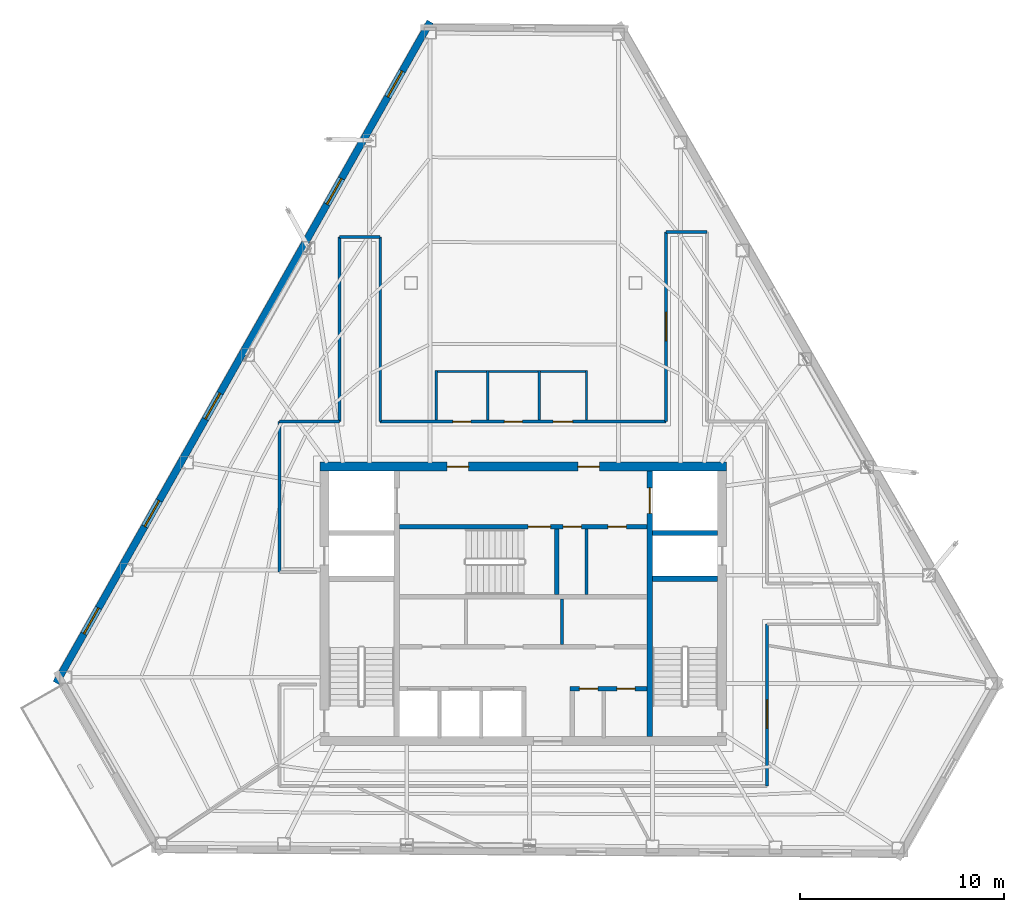
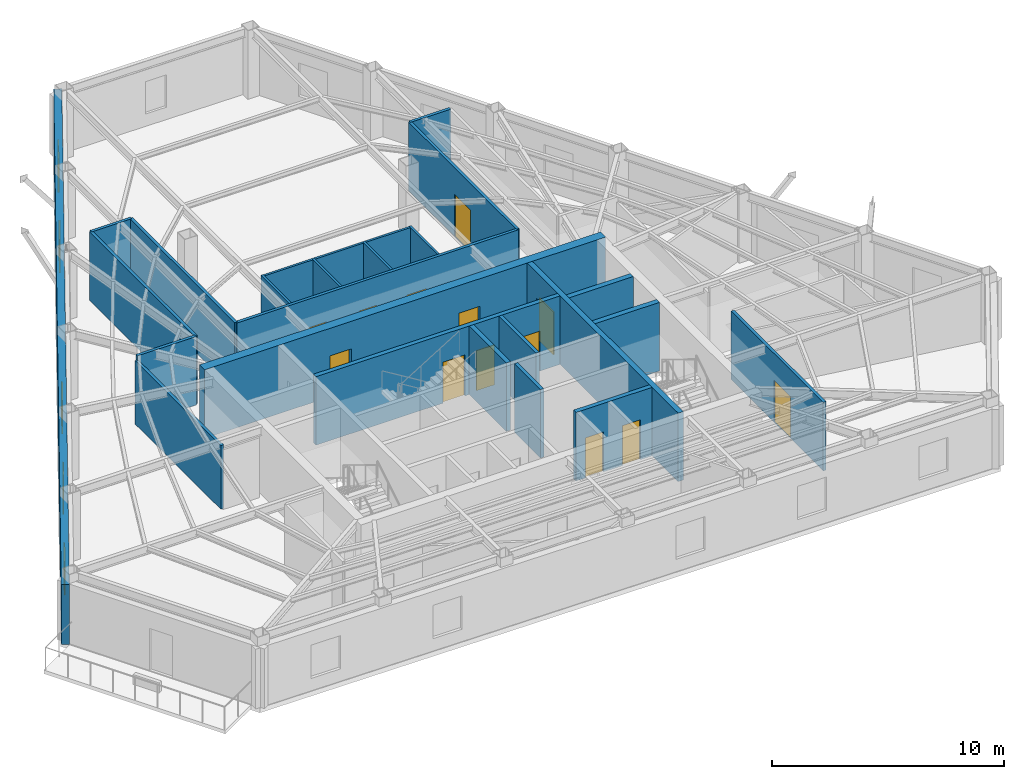
# One storey, part 8 of 11: 24 walls, 13 doors, 5 windows, 18 openings.
"""IFC4 building model written with IfcOpenShell, lengths in metres."""

import ifcopenshell
import ifcopenshell.guid

model = None  # the IFC model being written
_history = None  # IfcOwnerHistory: only IFC2X3 demands one
_inside = {}  # id of a spatial element -> (the spatial element, [elements in it])
_under = {}  # id of a project, library or spatial element -> (it, [spatial elements below it])
_declared = {}  # id of a project -> (the project, [libraries it declares])
_typed = {}  # id of a type object -> (the type object, [elements of that type])
_made_of = {}  # id of a material, layer set ... -> (it, [elements and type objects made of it])


def new_model(schema):
    """Start an empty IFC model of exactly this schema.

    Asked for "IFC4X3", IfcOpenShell would pick the latest addendum, in which some entities
    have other attributes; the version numbers below select the first issue.
    IFC2X3 requires an IfcOwnerHistory on every rooted entity: one is made here for all.
    """
    global model, _history
    if schema == "IFC4X3":
        model = ifcopenshell.file(schema_version=(4, 3, 0, 0))
    else:
        model = ifcopenshell.file(schema=schema)
    _inside.clear()
    _under.clear()
    _declared.clear()
    _typed.clear()
    _made_of.clear()
    _history = None
    if model.schema == "IFC2X3":
        org = make("IfcOrganization", Name="unknown")
        user = make(
            "IfcPersonAndOrganization",
            ThePerson=make("IfcPerson", FamilyName="unknown"),
            TheOrganization=org,
        )
        app = make(
            "IfcApplication",
            ApplicationDeveloper=org,
            Version="unknown",
            ApplicationFullName="unknown",
            ApplicationIdentifier="unknown",
        )
        _history = make(
            "IfcOwnerHistory",
            OwningUser=user,
            OwningApplication=app,
            ChangeAction="ADDED",
            CreationDate=0,
        )
    return model


def make(cls, **values):
    """One entity of the class cls with the attributes given. An attribute that is None is left unset."""
    return model.create_entity(
        cls, **{name: value for name, value in values.items() if value is not None}
    )


def rooted(cls, **values):
    """An entity with a GlobalId (a new one), such as an element, a storey or a relation."""
    return make(cls, GlobalId=ifcopenshell.guid.new(), OwnerHistory=_history, **values)


def si_unit(unit_type, name, prefix=None):
    """IfcSIUnit, for example si_unit("LENGTHUNIT", "METRE", prefix="MILLI")."""
    return make("IfcSIUnit", UnitType=unit_type, Prefix=prefix, Name=name)


def assignment(units):
    """IfcUnitAssignment: the units of a project."""
    return None if units is None else make("IfcUnitAssignment", Units=units)


def point(xyz):
    """IfcCartesianPoint."""
    return None if xyz is None else make("IfcCartesianPoint", Coordinates=xyz)


def direction(xyz):
    """IfcDirection."""
    return None if xyz is None else make("IfcDirection", DirectionRatios=xyz)


def frame(location, z_axis=None, x_axis=None):
    """IfcAxis2Placement3D, a coordinate frame: its origin and axes. An axis left out is left unset."""
    return make(
        "IfcAxis2Placement3D",
        Location=point(location),
        Axis=direction(z_axis),
        RefDirection=direction(x_axis),
    )


def frame_2d(location, x_axis=None):
    """IfcAxis2Placement2D, a coordinate frame in the plane: its origin and x axis."""
    return make(
        "IfcAxis2Placement2D", Location=point(location), RefDirection=direction(x_axis)
    )


def origin():
    """The frame at (0, 0, 0) with its axes left unset."""
    return frame((0.0, 0.0, 0.0))


def place(relative_to, where):
    """IfcLocalPlacement: puts the frame where relative to a parent placement (None: the world)."""
    return make(
        "IfcLocalPlacement", PlacementRelTo=relative_to, RelativePlacement=where
    )


def context(
    kind, dimensions, precision=None, world=None, true_north=None, identifier=None
):
    """IfcGeometricRepresentationContext, for example the 3D "Model" context."""
    return make(
        "IfcGeometricRepresentationContext",
        ContextIdentifier=identifier,
        ContextType=kind,
        CoordinateSpaceDimension=dimensions,
        Precision=precision,
        WorldCoordinateSystem=world,
        TrueNorth=true_north,
    )


def subcontext(parent, identifier, kind, view, scale=None):
    """IfcGeometricRepresentationSubContext, for example "Body" below "Model"."""
    return make(
        "IfcGeometricRepresentationSubContext",
        ContextIdentifier=identifier,
        ContextType=kind,
        ParentContext=parent,
        TargetScale=scale,
        TargetView=view,
    )


def project(units=None, contexts=None):
    """IfcProject with its units and contexts."""
    return rooted(
        "IfcProject",
        Name="project",
        RepresentationContexts=contexts,
        UnitsInContext=assignment(units),
    )


def spatial(cls, under=None, at=None, **own):
    """A site, building, storey or space (cls), placed at a placement, below another one or the project."""
    s = rooted(cls, ObjectPlacement=at, **own)
    if under is not None:
        _under.setdefault(under.id(), (under, []))[1].append(s)
    return s


def profile(cls, at=None, kind="AREA", **sizes):
    """A parametric profile (cls). Its sizes go by their IFC names, for example OverallWidth=200.0."""
    return make(cls, ProfileType=kind, Position=at, **sizes)


def rectangle(**sizes):
    """IfcRectangleProfileDef."""
    return profile("IfcRectangleProfileDef", **sizes)


def extrude(swept, where, along, depth):
    """IfcExtrudedAreaSolid: the profile swept, set in the frame where, extruded along a direction by depth."""
    return make(
        "IfcExtrudedAreaSolid",
        SweptArea=swept,
        Position=where,
        ExtrudedDirection=direction(along),
        Depth=depth,
    )


def shape(context_of_items, identifier, shape_type, items):
    """IfcShapeRepresentation: the items that make up one representation, for example the "Body"."""
    return make(
        "IfcShapeRepresentation",
        ContextOfItems=context_of_items,
        RepresentationIdentifier=identifier,
        RepresentationType=shape_type,
        Items=items,
    )


def material(Name=None, Category=None):
    """IfcMaterial."""
    return make("IfcMaterial", Name=Name, Category=Category)


def layer(
    of_material, thickness, ventilated=None, Name=None, Category=None, Priority=None
):
    """IfcMaterialLayer: one layer of a wall or slab, of a material (None: an air gap)."""
    return make(
        "IfcMaterialLayer",
        Material=of_material,
        LayerThickness=thickness,
        IsVentilated=ventilated,
        Name=Name,
        Category=Category,
        Priority=Priority,
    )


def layer_set(layers, Name=None):
    """IfcMaterialLayerSet."""
    return make("IfcMaterialLayerSet", MaterialLayers=layers, LayerSetName=Name)


def made_of(thing, what):
    """Note that an element or type object is made of a material, layer set ...; save() writes the relation."""
    if what is not None:
        _made_of.setdefault(what.id(), (what, []))[1].append(thing)
    return thing


def type_object(cls, material=None, **own):
    """A type object (cls), such as IfcWallType, which elements share."""
    return made_of(rooted(cls, **own), material)


def element(
    cls,
    number,
    at=None,
    inside=None,
    cuts=None,
    type_object=None,
    material=None,
    context=None,
    identifier="Body",
    shape_type=None,
    held_by="IfcProductDefinitionShape",
    body=None,
    shapes=None,
    **own,
):
    """One element of the class cls, such as IfcWall. Its Tag is "e" and its number.

    at: its placement. inside: the storey or other place that contains it. cuts: it is an
    opening in that element (IfcRelVoidsElement). A single representation is given by context,
    identifier, shape_type and body (its items); several are given by shapes. held_by: the class
    of the entity that holds the representations. save() writes the other relations.
    """
    e = rooted(cls, Tag="e%d" % number, ObjectPlacement=at, **own)
    if body is not None:
        shapes = [shape(context, identifier, shape_type, body)]
    if shapes is not None:
        e.Representation = make(held_by, Representations=shapes)
    if inside is not None:
        _inside.setdefault(inside.id(), (inside, []))[1].append(e)
    if cuts is not None:
        rooted(
            "IfcRelVoidsElement", RelatingBuildingElement=cuts, RelatedOpeningElement=e
        )
    if type_object is not None:
        _typed.setdefault(type_object.id(), (type_object, []))[1].append(e)
    return made_of(e, material)


def fill(opening, filler):
    """IfcRelFillsElement: the door or window that sits in an opening."""
    return rooted(
        "IfcRelFillsElement",
        RelatingOpeningElement=opening,
        RelatedBuildingElement=filler,
    )


def aggregate(whole, parts):
    """IfcRelAggregates: a whole, such as a stair, and the parts it consists of."""
    return rooted("IfcRelAggregates", RelatingObject=whole, RelatedObjects=parts)


def save(model, path):
    """Write the relations noted so far, then the file.

    IfcRelAggregates (storeys below a building ...), IfcRelContainedInSpatialStructure (elements
    in a storey), IfcRelDefinesByType, IfcRelAssociatesMaterial and IfcRelDeclares: one each for
    every whole, place, type object, material and project.
    """
    for whole, parts in _under.values():
        aggregate(whole, parts)
    for where, things in _inside.values():
        rooted(
            "IfcRelContainedInSpatialStructure",
            RelatedElements=things,
            RelatingStructure=where,
        )
    for kind, things in _typed.values():
        rooted("IfcRelDefinesByType", RelatedObjects=things, RelatingType=kind)
    for what, things in _made_of.values():
        rooted("IfcRelAssociatesMaterial", RelatedObjects=things, RelatingMaterial=what)
    for by, libraries in _declared.values():
        rooted("IfcRelDeclares", RelatingContext=by, RelatedDefinitions=libraries)
    model.write(path)


model = new_model("IFC4")

# Units and contexts
model_context = context("Model", 3, precision=1e-05, world=origin(), true_north=direction((0.0, 1.0)))
body_context = subcontext(model_context, "Body", "Model", "MODEL_VIEW")
ifc_project = project(units=[si_unit("LENGTHUNIT", "METRE"), si_unit("AREAUNIT", "SQUARE_METRE"), si_unit("VOLUMEUNIT", "CUBIC_METRE"), si_unit("PLANEANGLEUNIT", "RADIAN"), si_unit("MASSUNIT", "GRAM", prefix="KILO")], contexts=[model_context])

# Site, building, storey
site_placement = place(None, origin())
site = spatial("IfcSite", under=ifc_project, at=site_placement, CompositionType="ELEMENT")
building_placement = place(site_placement, origin())
building = spatial("IfcBuilding", under=site, at=building_placement, Name="Kavelnor Concourse Tower", CompositionType="ELEMENT")
storey_placement = place(building_placement, frame((0.0, 0.0, 172.699951171875)))
storey = spatial("IfcBuildingStorey", under=building, at=storey_placement, Name="L43", CompositionType="ELEMENT", Elevation=172.699951171875)

# Wall, openings, doors
ifc_material_1 = material(Name="Concrete C50/60", Category="concrete")
ifc_layer_1 = layer(ifc_material_1, 0.43994140625, Name="Concrete C50/60")
ifc_layer_set_1 = layer_set([ifc_layer_1], Name="Concrete C50/60")
wall_type_1 = type_object("IfcWallType", Name="WL-CORE-Z3-440", PredefinedType="SOLIDWALL", material=ifc_layer_set_1)
wall_1_placement = place(storey_placement, frame((28.0400390625, 22.820068359375, 0.0), z_axis=(0.0, 0.0, 1.0), x_axis=(1.0, 0.0, 0.0)))
wall_1 = element("IfcWall", 1, at=wall_1_placement, inside=storey, type_object=wall_type_1, Name="L43 Central Core North Shear Wall", PredefinedType="SOLIDWALL", context=body_context, shape_type="SweptSolid", body=[
    extrude(rectangle(XDim=19.919921875, YDim=0.43994140625, at=frame_2d((9.9599609375, 0.0))), origin(), (0.0, 0.0, 1.0), 3.60009765625),
])
opening_1_placement = place(wall_1_placement, frame((6.235107421875, 0.0, 0.0)))
opening_1 = element("IfcOpeningElement", 2, at=opening_1_placement, cuts=wall_1, Name="Opening FD-105", PredefinedType="OPENING", context=body_context, shape_type="SweptSolid", body=[
    extrude(rectangle(XDim=1.050048828125, YDim=2.14990234375, at=frame_2d((0.52490234375, 1.074951171875))), frame((0.0, 0.22998046875, 0.0), z_axis=(0.0, -1.0, 0.0), x_axis=(1.0, 0.0, 0.0)), (0.0, 0.0, 1.0), 0.4599609375),
])
opening_2_placement = place(wall_1_placement, frame((12.635009765625, 0.0, 0.0)))
opening_2 = element("IfcOpeningElement", 3, at=opening_2_placement, cuts=wall_1, Name="Opening FD-105", PredefinedType="OPENING", context=body_context, shape_type="SweptSolid", body=[
    extrude(rectangle(XDim=1.050048828125, YDim=2.14990234375, at=frame_2d((0.52490234375, 1.074951171875))), frame((0.0, 0.22998046875, 0.0), z_axis=(0.0, -1.0, 0.0), x_axis=(1.0, 0.0, 0.0)), (0.0, 0.0, 1.0), 0.4599609375),
])
ifc_material_2 = material(Name="Steel Grade 350", Category="steel")
door_type_1 = type_object("IfcDoorType", Name="DR-LOBBY-FIRE-1050", OperationType="NOTDEFINED", PredefinedType="DOOR", material=ifc_material_2)
door_1_placement = place(opening_1_placement, origin())
door_1 = element("IfcDoor", 4, at=door_1_placement, inside=storey, type_object=door_type_1, Name="L43 Emergency Lift Lobby West Door", OperationType="SINGLE_SWING_LEFT", OverallHeight=2.14990234375, OverallWidth=1.050048828125, PredefinedType="DOOR", context=body_context, shape_type="SweptSolid", body=[
    extrude(rectangle(XDim=1.050048828125, YDim=2.14990234375, at=frame_2d((0.52490234375, 1.074951171875))), frame((0.0, 0.02490234375, 0.0), z_axis=(0.0, -1.0, 0.0), x_axis=(1.0, 0.0, 0.0)), (0.0, 0.0, 1.0), 0.050048828125),
])
fill(opening_1, door_1)
door_2_placement = place(opening_2_placement, origin())
door_2 = element("IfcDoor", 5, at=door_2_placement, inside=storey, type_object=door_type_1, Name="L43 Emergency Lift Lobby East Door", OperationType="SINGLE_SWING_RIGHT", OverallHeight=2.14990234375, OverallWidth=1.050048828125, PredefinedType="DOOR", context=body_context, shape_type="SweptSolid", body=[
    extrude(rectangle(XDim=1.050048828125, YDim=2.14990234375, at=frame_2d((0.52490234375, 1.074951171875))), frame((0.0, 0.02490234375, 0.0), z_axis=(0.0, -1.0, 0.0), x_axis=(1.0, 0.0, 0.0)), (0.0, 0.0, 1.0), 0.050048828125),
])
fill(opening_2, door_2)

# Wall, openings, windows
ifc_material_3 = material(Name="Red-ochre clay face brick masonry", Category="masonry")
ifc_layer_2 = layer(ifc_material_3, 0.35009765625, Name="Red-ochre clay face brick masonry")
ifc_layer_set_2 = layer_set([ifc_layer_2], Name="Red-ochre clay face brick masonry")
wall_type_2 = type_object("IfcWallType", Name="WL-EXT-RED-BRICK-PIER-350", PredefinedType="STANDARD", material=ifc_layer_set_2)
wall_2_placement = place(storey_placement, frame((15.131591796875, 12.2236328125, 0.0), z_axis=(0.0, 0.0, 1.0), x_axis=(0.492438100446, 0.870347469249, 0.0)))
wall_2 = element("IfcWall", 6, at=wall_2_placement, inside=storey, type_object=wall_type_2, Name="L43 Exterior Brick Facade Wall E1", PredefinedType="STANDARD", context=body_context, shape_type="SweptSolid", body=[
    extrude(rectangle(XDim=37.19384765625, YDim=0.35009765625, at=frame_2d((18.596923828125, 0.0))), origin(), (0.0, 0.0, 1.0), 3.132080078125),
])
opening_3_placement = place(wall_2_placement, frame((32.966796875, 0.0, 0.64990234375)))
opening_3 = element("IfcOpeningElement", 7, at=opening_3_placement, cuts=wall_2, Name="Opening W-03", PredefinedType="OPENING", context=body_context, shape_type="SweptSolid", body=[
    extrude(rectangle(XDim=1.449951171875, YDim=1.75, at=frame_2d((0.72509765625, 0.875))), frame((0.0, 0.18505859375, 0.0), z_axis=(0.0, -1.0, 0.0), x_axis=(1.0, 0.0, 0.0)), (0.0, 0.0, 1.0), 0.3701171875),
])
opening_4_placement = place(wall_2_placement, frame((26.92724609375, 0.0, 0.64990234375)))
opening_4 = element("IfcOpeningElement", 8, at=opening_4_placement, cuts=wall_2, Name="Opening W-03", PredefinedType="OPENING", context=body_context, shape_type="SweptSolid", body=[
    extrude(rectangle(XDim=1.449951171875, YDim=1.75, at=frame_2d((0.72509765625, 0.875))), frame((0.0, 0.18505859375, 0.0), z_axis=(0.0, -1.0, 0.0), x_axis=(1.0, 0.0, 0.0)), (0.0, 0.0, 1.0), 0.3701171875),
])
opening_5_placement = place(wall_2_placement, frame((14.847900390625, 0.0, 0.64990234375)))
opening_5 = element("IfcOpeningElement", 9, at=opening_5_placement, cuts=wall_2, Name="Opening W-03", PredefinedType="OPENING", context=body_context, shape_type="SweptSolid", body=[
    extrude(rectangle(XDim=1.449951171875, YDim=1.75, at=frame_2d((0.72509765625, 0.875))), frame((0.0, 0.18505859375, 0.0), z_axis=(0.0, -1.0, 0.0), x_axis=(1.0, 0.0, 0.0)), (0.0, 0.0, 1.0), 0.3701171875),
])
opening_6_placement = place(wall_2_placement, frame((8.80810546875, 0.0, 0.64990234375)))
opening_6 = element("IfcOpeningElement", 10, at=opening_6_placement, cuts=wall_2, Name="Opening W-03", PredefinedType="OPENING", context=body_context, shape_type="SweptSolid", body=[
    extrude(rectangle(XDim=1.449951171875, YDim=1.75, at=frame_2d((0.72509765625, 0.875))), frame((0.0, 0.18505859375, 0.0), z_axis=(0.0, -1.0, 0.0), x_axis=(1.0, 0.0, 0.0)), (0.0, 0.0, 1.0), 0.3701171875),
])
opening_7_placement = place(wall_2_placement, frame((2.7685546875, 0.0, 0.64990234375)))
opening_7 = element("IfcOpeningElement", 11, at=opening_7_placement, cuts=wall_2, Name="Opening W-03", PredefinedType="OPENING", context=body_context, shape_type="SweptSolid", body=[
    extrude(rectangle(XDim=1.449951171875, YDim=1.75, at=frame_2d((0.72509765625, 0.875))), frame((0.0, 0.18505859375, 0.0), z_axis=(0.0, -1.0, 0.0), x_axis=(1.0, 0.0, 0.0)), (0.0, 0.0, 1.0), 0.3701171875),
])
ifc_material_4 = material(Name="Double low-E argon insulated glazing", Category="glass")
window_type = type_object("IfcWindowType", Name="WIN-PIER-Z3-1500", PartitioningType="SINGLE_PANEL", PredefinedType="WINDOW", material=ifc_material_4)
window_1_placement = place(opening_3_placement, origin())
window_1 = element("IfcWindow", 12, at=window_1_placement, inside=storey, type_object=window_type, Name="L43 Deep-Set Brick Pier Window F0-B0", OverallHeight=1.75, OverallWidth=1.449951171875, PartitioningType="SINGLE_PANEL", PredefinedType="WINDOW", context=body_context, shape_type="SweptSolid", body=[
    extrude(rectangle(XDim=1.449951171875, YDim=1.75, at=frame_2d((0.72509765625, 0.875))), frame((0.0, 0.030029296875, 0.0), z_axis=(0.0, -1.0, 0.0), x_axis=(1.0, 0.0, 0.0)), (0.0, 0.0, 1.0), 0.06005859375),
])
fill(opening_3, window_1)
window_2_placement = place(opening_4_placement, origin())
window_2 = element("IfcWindow", 13, at=window_2_placement, inside=storey, type_object=window_type, Name="L43 Deep-Set Brick Pier Window F0-B1", OverallHeight=1.75, OverallWidth=1.449951171875, PartitioningType="SINGLE_PANEL", PredefinedType="WINDOW", context=body_context, shape_type="SweptSolid", body=[
    extrude(rectangle(XDim=1.449951171875, YDim=1.75, at=frame_2d((0.72509765625, 0.875))), frame((0.0, 0.030029296875, 0.0), z_axis=(0.0, -1.0, 0.0), x_axis=(1.0, 0.0, 0.0)), (0.0, 0.0, 1.0), 0.06005859375),
])
fill(opening_4, window_2)
window_3_placement = place(opening_5_placement, origin())
window_3 = element("IfcWindow", 14, at=window_3_placement, inside=storey, type_object=window_type, Name="L43 Deep-Set Brick Pier Window F0-B3", OverallHeight=1.75, OverallWidth=1.449951171875, PartitioningType="SINGLE_PANEL", PredefinedType="WINDOW", context=body_context, shape_type="SweptSolid", body=[
    extrude(rectangle(XDim=1.449951171875, YDim=1.75, at=frame_2d((0.72509765625, 0.875))), frame((0.0, 0.030029296875, 0.0), z_axis=(0.0, -1.0, 0.0), x_axis=(1.0, 0.0, 0.0)), (0.0, 0.0, 1.0), 0.06005859375),
])
fill(opening_5, window_3)
window_4_placement = place(opening_6_placement, origin())
window_4 = element("IfcWindow", 15, at=window_4_placement, inside=storey, type_object=window_type, Name="L43 Deep-Set Brick Pier Window F0-B4", OverallHeight=1.75, OverallWidth=1.449951171875, PartitioningType="SINGLE_PANEL", PredefinedType="WINDOW", context=body_context, shape_type="SweptSolid", body=[
    extrude(rectangle(XDim=1.449951171875, YDim=1.75, at=frame_2d((0.72509765625, 0.875))), frame((0.0, 0.030029296875, 0.0), z_axis=(0.0, -1.0, 0.0), x_axis=(1.0, 0.0, 0.0)), (0.0, 0.0, 1.0), 0.06005859375),
])
fill(opening_6, window_4)
window_5_placement = place(opening_7_placement, origin())
window_5 = element("IfcWindow", 16, at=window_5_placement, inside=storey, type_object=window_type, Name="L43 Deep-Set Brick Pier Window F0-B5", OverallHeight=1.75, OverallWidth=1.449951171875, PartitioningType="SINGLE_PANEL", PredefinedType="WINDOW", context=body_context, shape_type="SweptSolid", body=[
    extrude(rectangle(XDim=1.449951171875, YDim=1.75, at=frame_2d((0.72509765625, 0.875))), frame((0.0, 0.030029296875, 0.0), z_axis=(0.0, -1.0, 0.0), x_axis=(1.0, 0.0, 0.0)), (0.0, 0.0, 1.0), 0.06005859375),
])
fill(opening_7, window_5)

# Walls
ifc_material_5 = material(Name="Gypsum plasterboard on light-gauge steel studs", Category="steel")
ifc_layer_3 = layer(ifc_material_5, 0.14501953125, Name="Gypsum plasterboard on light-gauge steel studs")
ifc_layer_set_3 = layer_set([ifc_layer_3], Name="Gypsum plasterboard on light-gauge steel studs")
wall_type_3 = type_object("IfcWallType", Name="WL-INT-CORR-145", PredefinedType="PARTITIONING", material=ifc_layer_set_3)
wall_3_placement = place(storey_placement, frame((26.06005859375, 17.64990234375, 0.0), z_axis=(0.0, 0.0, 1.0), x_axis=(0.0, 1.0, 0.0)))
element("IfcWall", 17, at=wall_3_placement, inside=storey, type_object=wall_type_3, Name="L43 Corridor Wall WL-L43-CR-02", PredefinedType="PARTITIONING", context=body_context, shape_type="SweptSolid", body=[
    extrude(rectangle(XDim=7.3701171875, YDim=0.14501953125, at=frame_2d((3.68505859375, 0.0))), origin(), (0.0, 0.0, 1.0), 3.339111328125),
])
wall_4_placement = place(storey_placement, frame((26.06005859375, 25.02001953125, 0.0), z_axis=(0.0, 0.0, 1.0), x_axis=(1.0, 0.0, 0.0)))
element("IfcWall", 18, at=wall_4_placement, inside=storey, type_object=wall_type_3, Name="L43 Corridor Wall WL-L43-CR-03", PredefinedType="PARTITIONING", context=body_context, shape_type="SweptSolid", body=[
    extrude(rectangle(XDim=2.93994140625, YDim=0.14501953125, at=frame_2d((1.469970703125, 0.0))), origin(), (0.0, 0.0, 1.0), 3.60009765625),
])
wall_5_placement = place(storey_placement, frame((29.0, 25.02001953125, 0.0), z_axis=(0.0, 0.0, 1.0), x_axis=(0.0, 1.0, 0.0)))
element("IfcWall", 19, at=wall_5_placement, inside=storey, type_object=wall_type_3, Name="L43 Corridor Wall WL-L43-CR-04", PredefinedType="PARTITIONING", context=body_context, shape_type="SweptSolid", body=[
    extrude(rectangle(XDim=9.035888671875, YDim=0.14501953125, at=frame_2d((4.51806640625, 0.0))), origin(), (0.0, 0.0, 1.0), 3.60009765625),
])
wall_6_placement = place(storey_placement, frame((29.0, 34.055908203125, 0.0), z_axis=(0.0, 0.0, 1.0), x_axis=(1.0, 0.0, 0.0)))
element("IfcWall", 20, at=wall_6_placement, inside=storey, type_object=wall_type_3, Name="L43 Corridor Wall WL-L43-CR-05", PredefinedType="PARTITIONING", context=body_context, shape_type="SweptSolid", body=[
    extrude(rectangle(XDim=2.0, YDim=0.14501953125, at=frame_2d((1.0, 0.0))), origin(), (0.0, 0.0, 1.0), 3.60009765625),
])
wall_7_placement = place(storey_placement, frame((31.0, 34.055908203125, 0.0), z_axis=(0.0, 0.0, 1.0), x_axis=(0.0, -1.0, 0.0)))
element("IfcWall", 21, at=wall_7_placement, inside=storey, type_object=wall_type_3, Name="L43 Corridor Wall WL-L43-CR-06", PredefinedType="PARTITIONING", context=body_context, shape_type="SweptSolid", body=[
    extrude(rectangle(XDim=9.035888671875, YDim=0.14501953125, at=frame_2d((4.51806640625, 0.0))), origin(), (0.0, 0.0, 1.0), 3.60009765625),
])

# Wall, openings, doors
wall_8_placement = place(storey_placement, frame((31.0, 25.02001953125, 0.0), z_axis=(0.0, 0.0, 1.0), x_axis=(1.0, 0.0, 0.0)))
wall_8 = element("IfcWall", 22, at=wall_8_placement, inside=storey, type_object=wall_type_3, Name="L43 Corridor Wall WL-L43-CR-07", PredefinedType="PARTITIONING", context=body_context, shape_type="SweptSolid", body=[
    extrude(rectangle(XDim=14.0, YDim=0.14501953125, at=frame_2d((7.0, 0.0))), origin(), (0.0, 0.0, 1.0), 3.60009765625),
])
opening_8_placement = place(wall_8_placement, frame((3.56005859375, 0.0, 0.0)))
opening_8 = element("IfcOpeningElement", 23, at=opening_8_placement, cuts=wall_8, Name="Opening WD-088", PredefinedType="OPENING", context=body_context, shape_type="SweptSolid", body=[
    extrude(rectangle(XDim=0.8798828125, YDim=2.10009765625, at=frame_2d((0.43994140625, 1.050048828125))), frame((0.0, 0.08251953125, 0.0), z_axis=(0.0, -1.0, 0.0), x_axis=(1.0, 0.0, 0.0)), (0.0, 0.0, 1.0), 0.1650390625),
])
opening_9_placement = place(wall_8_placement, frame((6.080078125, 0.0, 0.0)))
opening_9 = element("IfcOpeningElement", 24, at=opening_9_placement, cuts=wall_8, Name="Opening WD-088", PredefinedType="OPENING", context=body_context, shape_type="SweptSolid", body=[
    extrude(rectangle(XDim=0.8798828125, YDim=2.10009765625, at=frame_2d((0.43994140625, 1.050048828125))), frame((0.0, 0.08251953125, 0.0), z_axis=(0.0, -1.0, 0.0), x_axis=(1.0, 0.0, 0.0)), (0.0, 0.0, 1.0), 0.1650390625),
])
opening_10_placement = place(wall_8_placement, frame((8.4599609375, 0.0, 0.0)))
opening_10 = element("IfcOpeningElement", 25, at=opening_10_placement, cuts=wall_8, Name="Opening WD-096", PredefinedType="OPENING", context=body_context, shape_type="SweptSolid", body=[
    extrude(rectangle(XDim=0.9599609375, YDim=2.10009765625, at=frame_2d((0.47998046875, 1.050048828125))), frame((0.0, 0.08251953125, 0.0), z_axis=(0.0, -1.0, 0.0), x_axis=(1.0, 0.0, 0.0)), (0.0, 0.0, 1.0), 0.1650390625),
])
ifc_material_6 = material(Name="Solid-core hardwood timber", Category="wood")
door_type_2 = type_object("IfcDoorType", Name="DR-WC-ACC-960", OperationType="NOTDEFINED", PredefinedType="DOOR", material=ifc_material_6)
door_3_placement = place(opening_10_placement, origin())
door_3 = element("IfcDoor", 26, at=door_3_placement, inside=storey, type_object=door_type_2, Name="L43 Accessible WC Door", OperationType="SINGLE_SWING_RIGHT", OverallHeight=2.10009765625, OverallWidth=0.9599609375, PredefinedType="DOOR", context=body_context, shape_type="SweptSolid", body=[
    extrude(rectangle(XDim=0.9599609375, YDim=2.10009765625, at=frame_2d((0.47998046875, 1.050048828125))), frame((0.0, 0.02490234375, 0.0), z_axis=(0.0, -1.0, 0.0), x_axis=(1.0, 0.0, 0.0)), (0.0, 0.0, 1.0), 0.050048828125),
])
fill(opening_10, door_3)
door_type_3 = type_object("IfcDoorType", Name="DR-WC-STD-880", OperationType="NOTDEFINED", PredefinedType="DOOR", material=ifc_material_6)
door_4_placement = place(opening_8_placement, origin())
door_4 = element("IfcDoor", 27, at=door_4_placement, inside=storey, type_object=door_type_3, Name="L43 Male WC Door", OperationType="SINGLE_SWING_RIGHT", OverallHeight=2.10009765625, OverallWidth=0.8798828125, PredefinedType="DOOR", context=body_context, shape_type="SweptSolid", body=[
    extrude(rectangle(XDim=0.8798828125, YDim=2.10009765625, at=frame_2d((0.43994140625, 1.050048828125))), frame((0.0, 0.02490234375, 0.0), z_axis=(0.0, -1.0, 0.0), x_axis=(1.0, 0.0, 0.0)), (0.0, 0.0, 1.0), 0.050048828125),
])
fill(opening_8, door_4)
door_5_placement = place(opening_9_placement, origin())
door_5 = element("IfcDoor", 28, at=door_5_placement, inside=storey, type_object=door_type_3, Name="L43 Female WC Door", OperationType="SINGLE_SWING_LEFT", OverallHeight=2.10009765625, OverallWidth=0.8798828125, PredefinedType="DOOR", context=body_context, shape_type="SweptSolid", body=[
    extrude(rectangle(XDim=0.8798828125, YDim=2.10009765625, at=frame_2d((0.43994140625, 1.050048828125))), frame((0.0, 0.02490234375, 0.0), z_axis=(0.0, -1.0, 0.0), x_axis=(1.0, 0.0, 0.0)), (0.0, 0.0, 1.0), 0.050048828125),
])
fill(opening_9, door_5)

# Wall, opening, door
wall_9_placement = place(storey_placement, frame((45.0, 25.02001953125, 0.0), z_axis=(0.0, 0.0, 1.0), x_axis=(0.0, 1.0, 0.0)))
wall_9 = element("IfcWall", 29, at=wall_9_placement, inside=storey, type_object=wall_type_3, Name="L43 Corridor Wall WL-L43-CR-08", PredefinedType="PARTITIONING", context=body_context, shape_type="SweptSolid", body=[
    extrude(rectangle(XDim=9.29296875, YDim=0.14501953125, at=frame_2d((4.646484375, 0.0))), origin(), (0.0, 0.0, 1.0), 3.60009765625),
])
opening_11_placement = place(wall_9_placement, frame((3.946533203125, 0.0, 0.0)))
opening_11 = element("IfcOpeningElement", 30, at=opening_11_placement, cuts=wall_9, Name="Opening SD-140", PredefinedType="OPENING", context=body_context, shape_type="SweptSolid", body=[
    extrude(rectangle(XDim=1.39990234375, YDim=2.199951171875, at=frame_2d((0.699951171875, 1.10009765625))), frame((0.0, 0.08251953125, 0.0), z_axis=(0.0, -1.0, 0.0), x_axis=(1.0, 0.0, 0.0)), (0.0, 0.0, 1.0), 0.1650390625),
])
door_type_4 = type_object("IfcDoorType", Name="DR-SUITE-ENTRY-1400", OperationType="NOTDEFINED", PredefinedType="DOOR", material=ifc_material_6)
door_6_placement = place(opening_11_placement, origin())
door_6 = element("IfcDoor", 31, at=door_6_placement, inside=storey, type_object=door_type_4, Name="L43 Building Staff Breakroom 03 Door", OperationType="SINGLE_SWING_LEFT", OverallHeight=2.199951171875, OverallWidth=1.39990234375, PredefinedType="DOOR", context=body_context, shape_type="SweptSolid", body=[
    extrude(rectangle(XDim=1.39990234375, YDim=2.199951171875, at=frame_2d((0.699951171875, 1.10009765625))), frame((0.0, 0.02490234375, 0.0), z_axis=(0.0, -1.0, 0.0), x_axis=(1.0, 0.0, 0.0)), (0.0, 0.0, 1.0), 0.050048828125),
])
fill(opening_11, door_6)

# Wall
wall_10_placement = place(storey_placement, frame((45.0, 34.31298828125, 0.0), z_axis=(0.0, 0.0, 1.0), x_axis=(1.0, 0.0, 0.0)))
element("IfcWall", 32, at=wall_10_placement, inside=storey, type_object=wall_type_3, Name="L43 Corridor Wall WL-L43-CR-09", PredefinedType="PARTITIONING", context=body_context, shape_type="SweptSolid", body=[
    extrude(rectangle(XDim=2.0, YDim=0.14501953125, at=frame_2d((1.0, 0.0))), origin(), (0.0, 0.0, 1.0), 3.60009765625),
])

# Wall, opening, door
wall_11_placement = place(storey_placement, frame((49.93994140625, 15.10009765625, 0.0), z_axis=(0.0, 0.0, 1.0), x_axis=(0.0, -1.0, 0.0)))
wall_11 = element("IfcWall", 33, at=wall_11_placement, inside=storey, type_object=wall_type_3, Name="L43 Corridor Wall WL-L43-CR-16", PredefinedType="PARTITIONING", context=body_context, shape_type="SweptSolid", body=[
    extrude(rectangle(XDim=7.920166015625, YDim=0.14501953125, at=frame_2d((3.9599609375, 0.0))), origin(), (0.0, 0.0, 1.0), 3.60009765625),
])
opening_12_placement = place(wall_11_placement, frame((3.697265625, 0.0, 0.0)))
opening_12 = element("IfcOpeningElement", 34, at=opening_12_placement, cuts=wall_11, Name="Opening SD-140", PredefinedType="OPENING", context=body_context, shape_type="SweptSolid", body=[
    extrude(rectangle(XDim=1.39990234375, YDim=2.199951171875, at=frame_2d((0.699951171875, 1.10009765625))), frame((0.0, 0.08251953125, 0.0), z_axis=(0.0, -1.0, 0.0), x_axis=(1.0, 0.0, 0.0)), (0.0, 0.0, 1.0), 0.1650390625),
])
door_7_placement = place(opening_12_placement, origin())
door_7 = element("IfcDoor", 35, at=door_7_placement, inside=storey, type_object=door_type_4, Name="L43 Client Concierge 06 Door", OperationType="SINGLE_SWING_RIGHT", OverallHeight=2.199951171875, OverallWidth=1.39990234375, PredefinedType="DOOR", context=body_context, shape_type="SweptSolid", body=[
    extrude(rectangle(XDim=1.39990234375, YDim=2.199951171875, at=frame_2d((0.699951171875, 1.10009765625))), frame((0.0, 0.02490234375, 0.0), z_axis=(0.0, -1.0, 0.0), x_axis=(1.0, 0.0, 0.0)), (0.0, 0.0, 1.0), 0.050048828125),
])
fill(opening_12, door_7)

# Walls
ifc_layer_4 = layer(ifc_material_5, 0.1650390625, Name="Gypsum plasterboard on light-gauge steel studs")
ifc_layer_set_4 = layer_set([ifc_layer_4], Name="Gypsum plasterboard on light-gauge steel studs")
wall_type_4 = type_object("IfcWallType", Name="WL-INT-FIRE-165", PredefinedType="PARTITIONING", material=ifc_layer_set_4)
wall_12_placement = place(storey_placement, frame((39.89990234375, 14.10009765625, 0.0), z_axis=(0.0, 0.0, 1.0), x_axis=(0.0, 1.0, 0.0)))
element("IfcWall", 36, at=wall_12_placement, inside=storey, type_object=wall_type_4, Name="L43 Reclaimed Core Partition B", PredefinedType="PARTITIONING", context=body_context, shape_type="SweptSolid", body=[
    extrude(rectangle(XDim=2.239990234375, YDim=0.1650390625, at=frame_2d((1.1201171875, 0.0))), origin(), (0.0, 0.0, 1.0), 3.60009765625),
])
wall_13_placement = place(storey_placement, frame((41.10009765625, 16.56005859375, 0.0), z_axis=(0.0, 0.0, 1.0), x_axis=(0.0, 1.0, 0.0)))
element("IfcWall", 37, at=wall_13_placement, inside=storey, type_object=wall_type_4, Name="L43 Core Support West Divider", PredefinedType="PARTITIONING", context=body_context, shape_type="SweptSolid", body=[
    extrude(rectangle(XDim=3.199951171875, YDim=0.1650390625, at=frame_2d((1.60009765625, 0.0))), origin(), (0.0, 0.0, 1.0), 3.60009765625),
])
ifc_layer_5 = layer(ifc_material_5, 0.110107421875, Name="Gypsum plasterboard on light-gauge steel studs")
ifc_layer_set_5 = layer_set([ifc_layer_5], Name="Gypsum plasterboard on light-gauge steel studs")
wall_type_5 = type_object("IfcWallType", Name="WL-INT-WC-110", PredefinedType="PLUMBINGWALL", material=ifc_layer_set_5)
for number, where, z_axis, x_axis, name in (
    (38, (33.739990234375, 25.090087890625, 0.0), (0.0, 0.0, 1.0), (0.0, 1.0, 0.0), "L43 Sanitary Partition WL-L43-WC-W"),
    (39, (36.260009765625, 25.090087890625, 0.0), (0.0, 0.0, 1.0), (0.0, 1.0, 0.0), "L43 Sanitary Partition WL-L43-WC-D1"),
    (40, (38.780029296875, 25.090087890625, 0.0), (0.0, 0.0, 1.0), (0.0, 1.0, 0.0), "L43 Sanitary Partition WL-L43-WC-D2"),
    (41, (41.10009765625, 25.090087890625, 0.0), (0.0, 0.0, 1.0), (0.0, 1.0, 0.0), "L43 Sanitary Partition WL-L43-WC-E"),
):
    element("IfcWall", number, at=place(storey_placement, frame(where, z_axis=z_axis, x_axis=x_axis)), inside=storey, type_object=wall_type_5, Name=name, PredefinedType="PLUMBINGWALL", context=body_context, shape_type="SweptSolid", body=[
        extrude(rectangle(XDim=2.43994140625, YDim=0.110107421875, at=frame_2d((1.219970703125, 0.0))), origin(), (0.0, 0.0, 1.0), 3.60009765625),
    ])
wall_14_placement = place(storey_placement, frame((33.68994140625, 27.469970703125, 0.0), z_axis=(0.0, 0.0, 1.0), x_axis=(1.0, 0.0, 0.0)))
element("IfcWall", 42, at=wall_14_placement, inside=storey, type_object=wall_type_5, Name="L43 Sanitary Partition WL-L43-WC-N", PredefinedType="PLUMBINGWALL", context=body_context, shape_type="SweptSolid", body=[
    extrude(rectangle(XDim=7.4599609375, YDim=0.110107421875, at=frame_2d((3.72998046875, 0.0))), origin(), (0.0, 0.0, 1.0), 3.60009765625),
])

# Wall, openings, doors
ifc_layer_6 = layer(ifc_material_1, 0.219970703125, Name="Concrete C50/60")
ifc_layer_set_6 = layer_set([ifc_layer_6], Name="Concrete C50/60")
wall_type_6 = type_object("IfcWallType", Name="WL-SHAFT-220", PredefinedType="SOLIDWALL", material=ifc_layer_set_6)
wall_15_placement = place(storey_placement, frame((31.93994140625, 19.8701171875, 0.0), z_axis=(0.0, 0.0, 1.0), x_axis=(1.0, 0.0, 0.0)))
wall_15 = element("IfcWall", 43, at=wall_15_placement, inside=storey, type_object=wall_type_6, Name="L43 Emergency Lift Lobby South Wall", PredefinedType="SOLIDWALL", context=body_context, shape_type="SweptSolid", body=[
    extrude(rectangle(XDim=12.1201171875, YDim=0.219970703125, at=frame_2d((6.06005859375, 0.0))), origin(), (0.0, 0.0, 1.0), 3.60009765625),
])
opening_13_placement = place(wall_15_placement, frame((6.300048828125, 0.0, 0.0)))
opening_13 = element("IfcOpeningElement", 44, at=opening_13_placement, cuts=wall_15, Name="Opening FD-110", PredefinedType="OPENING", context=body_context, shape_type="SweptSolid", body=[
    extrude(rectangle(XDim=1.10009765625, YDim=2.14990234375, at=frame_2d((0.550048828125, 1.074951171875))), frame((0.0, 0.1201171875, 0.0), z_axis=(0.0, -1.0, 0.0), x_axis=(1.0, 0.0, 0.0)), (0.0, 0.0, 1.0), 0.239990234375),
])
opening_14_placement = place(wall_15_placement, frame((8.010009765625, 0.0, 0.0)))
opening_14 = element("IfcOpeningElement", 45, at=opening_14_placement, cuts=wall_15, Name="Opening FD-090", PredefinedType="OPENING", context=body_context, shape_type="SweptSolid", body=[
    extrude(rectangle(XDim=0.89990234375, YDim=2.10009765625, at=frame_2d((0.449951171875, 1.050048828125))), frame((0.0, 0.1201171875, 0.0), z_axis=(0.0, -1.0, 0.0), x_axis=(1.0, 0.0, 0.0)), (0.0, 0.0, 1.0), 0.239990234375),
])
opening_15_placement = place(wall_15_placement, frame((10.2099609375, 0.0, 0.0)))
opening_15 = element("IfcOpeningElement", 46, at=opening_15_placement, cuts=wall_15, Name="Opening FD-090", PredefinedType="OPENING", context=body_context, shape_type="SweptSolid", body=[
    extrude(rectangle(XDim=0.89990234375, YDim=2.10009765625, at=frame_2d((0.449951171875, 1.050048828125))), frame((0.0, 0.1201171875, 0.0), z_axis=(0.0, -1.0, 0.0), x_axis=(1.0, 0.0, 0.0)), (0.0, 0.0, 1.0), 0.239990234375),
])
door_type_5 = type_object("IfcDoorType", Name="DR-RISER-FIRE-900", OperationType="NOTDEFINED", PredefinedType="DOOR", material=ifc_material_2)
door_8_placement = place(opening_14_placement, origin())
door_8 = element("IfcDoor", 47, at=door_8_placement, inside=storey, type_object=door_type_5, Name="L43 Cleaner Door", OperationType="SINGLE_SWING_RIGHT", OverallHeight=2.10009765625, OverallWidth=0.89990234375, PredefinedType="DOOR", context=body_context, shape_type="SweptSolid", body=[
    extrude(rectangle(XDim=0.89990234375, YDim=2.10009765625, at=frame_2d((0.449951171875, 1.050048828125))), frame((0.0, 0.02490234375, 0.0), z_axis=(0.0, -1.0, 0.0), x_axis=(1.0, 0.0, 0.0)), (0.0, 0.0, 1.0), 0.050048828125),
])
fill(opening_14, door_8)
door_9_placement = place(opening_15_placement, origin())
door_9 = element("IfcDoor", 48, at=door_9_placement, inside=storey, type_object=door_type_5, Name="L43 UPS Room Door", OperationType="SINGLE_SWING_LEFT", OverallHeight=2.10009765625, OverallWidth=0.89990234375, PredefinedType="DOOR", context=body_context, shape_type="SweptSolid", body=[
    extrude(rectangle(XDim=0.89990234375, YDim=2.10009765625, at=frame_2d((0.449951171875, 1.050048828125))), frame((0.0, 0.02490234375, 0.0), z_axis=(0.0, -1.0, 0.0), x_axis=(1.0, 0.0, 0.0)), (0.0, 0.0, 1.0), 0.050048828125),
])
fill(opening_15, door_9)
door_type_6 = type_object("IfcDoorType", Name="DR-STAIR-FIRE-1100", OperationType="NOTDEFINED", PredefinedType="DOOR", material=ifc_material_2)
door_10_placement = place(opening_13_placement, origin())
door_10 = element("IfcDoor", 49, at=door_10_placement, inside=storey, type_object=door_type_6, Name="L43 Stair ST3 Fire Door", OperationType="SINGLE_SWING_LEFT", OverallHeight=2.14990234375, OverallWidth=1.10009765625, PredefinedType="DOOR", context=body_context, shape_type="SweptSolid", body=[
    extrude(rectangle(XDim=1.10009765625, YDim=2.14990234375, at=frame_2d((0.550048828125, 1.074951171875))), frame((0.0, 0.02490234375, 0.0), z_axis=(0.0, -1.0, 0.0), x_axis=(1.0, 0.0, 0.0)), (0.0, 0.0, 1.0), 0.050048828125),
])
fill(opening_13, door_10)

# Wall
wall_16_placement = place(storey_placement, frame((39.64990234375, 16.56005859375, 0.0), z_axis=(0.0, 0.0, 1.0), x_axis=(0.0, 1.0, 0.0)))
element("IfcWall", 50, at=wall_16_placement, inside=storey, type_object=wall_type_6, Name="L43 Stair ST3 East Core Wall", PredefinedType="SOLIDWALL", context=body_context, shape_type="SweptSolid", body=[
    extrude(rectangle(XDim=3.199951171875, YDim=0.219970703125, at=frame_2d((1.60009765625, 0.0))), origin(), (0.0, 0.0, 1.0), 3.60009765625),
])

# Wall, openings, doors
wall_17_placement = place(storey_placement, frame((40.280029296875, 11.949951171875, 0.0), z_axis=(0.0, 0.0, 1.0), x_axis=(1.0, 0.0, 0.0)))
wall_17 = element("IfcWall", 51, at=wall_17_placement, inside=storey, type_object=wall_type_6, Name="L43 Core South Support North Wall", PredefinedType="SOLIDWALL", context=body_context, shape_type="SweptSolid", body=[
    extrude(rectangle(XDim=3.780029296875, YDim=0.219970703125, at=frame_2d((1.89013671875, 0.0))), origin(), (0.0, 0.0, 1.0), 3.60009765625),
])
opening_16_placement = place(wall_17_placement, frame((0.469970703125, 0.0, 0.0)))
opening_16 = element("IfcOpeningElement", 52, at=opening_16_placement, cuts=wall_17, Name="Opening FD-090", PredefinedType="OPENING", context=body_context, shape_type="SweptSolid", body=[
    extrude(rectangle(XDim=0.89990234375, YDim=2.10009765625, at=frame_2d((0.449951171875, 1.050048828125))), frame((0.0, 0.1201171875, 0.0), z_axis=(0.0, -1.0, 0.0), x_axis=(1.0, 0.0, 0.0)), (0.0, 0.0, 1.0), 0.239990234375),
])
opening_17_placement = place(wall_17_placement, frame((2.300048828125, 0.0, 0.0)))
opening_17 = element("IfcOpeningElement", 53, at=opening_17_placement, cuts=wall_17, Name="Opening FD-090", PredefinedType="OPENING", context=body_context, shape_type="SweptSolid", body=[
    extrude(rectangle(XDim=0.89990234375, YDim=2.10009765625, at=frame_2d((0.449951171875, 1.050048828125))), frame((0.0, 0.1201171875, 0.0), z_axis=(0.0, -1.0, 0.0), x_axis=(1.0, 0.0, 0.0)), (0.0, 0.0, 1.0), 0.239990234375),
])
door_11_placement = place(opening_16_placement, origin())
door_11 = element("IfcDoor", 54, at=door_11_placement, inside=storey, type_object=door_type_5, Name="L43 Staff WC Door", OperationType="SINGLE_SWING_LEFT", OverallHeight=2.10009765625, OverallWidth=0.89990234375, PredefinedType="DOOR", context=body_context, shape_type="SweptSolid", body=[
    extrude(rectangle(XDim=0.89990234375, YDim=2.10009765625, at=frame_2d((0.449951171875, 1.050048828125))), frame((0.0, 0.02490234375, 0.0), z_axis=(0.0, -1.0, 0.0), x_axis=(1.0, 0.0, 0.0)), (0.0, 0.0, 1.0), 0.050048828125),
])
fill(opening_16, door_11)
door_12_placement = place(opening_17_placement, origin())
door_12 = element("IfcDoor", 55, at=door_12_placement, inside=storey, type_object=door_type_5, Name="L43 Core Comms Door", OperationType="SINGLE_SWING_RIGHT", OverallHeight=2.10009765625, OverallWidth=0.89990234375, PredefinedType="DOOR", context=body_context, shape_type="SweptSolid", body=[
    extrude(rectangle(XDim=0.89990234375, YDim=2.10009765625, at=frame_2d((0.449951171875, 1.050048828125))), frame((0.0, 0.02490234375, 0.0), z_axis=(0.0, -1.0, 0.0), x_axis=(1.0, 0.0, 0.0)), (0.0, 0.0, 1.0), 0.050048828125),
])
fill(opening_17, door_12)

# Wall, opening, door
ifc_layer_7 = layer(ifc_material_1, 0.260009765625, Name="Concrete C50/60")
ifc_layer_set_7 = layer_set([ifc_layer_7], Name="Concrete C50/60")
wall_type_7 = type_object("IfcWallType", Name="WL-SHAFT-260", PredefinedType="SHEAR", material=ifc_layer_set_7)
wall_18_placement = place(storey_placement, frame((44.18994140625, 9.60009765625, 0.0), z_axis=(0.0, 0.0, 1.0), x_axis=(0.0, 1.0, 0.0)))
wall_18 = element("IfcWall", 56, at=wall_18_placement, inside=storey, type_object=wall_type_7, Name="L43 Core East Wing Shear Wall", PredefinedType="SHEAR", context=body_context, shape_type="SweptSolid", body=[
    extrude(rectangle(XDim=13.0, YDim=0.260009765625, at=frame_2d((6.5, 0.0))), origin(), (0.0, 0.0, 1.0), 3.60009765625),
])
opening_18_placement = place(wall_18_placement, frame((10.925048828125, 0.0, 0.0)))
opening_18 = element("IfcOpeningElement", 57, at=opening_18_placement, cuts=wall_18, Name="Opening LD-125", PredefinedType="OPENING", context=body_context, shape_type="SweptSolid", body=[
    extrude(rectangle(XDim=1.25, YDim=2.25, at=frame_2d((0.625, 1.125))), frame((0.0, 0.14013671875, 0.0), z_axis=(0.0, -1.0, 0.0), x_axis=(1.0, 0.0, 0.0)), (0.0, 0.0, 1.0), 0.280029296875),
])
door_type_7 = type_object("IfcDoorType", Name="DR-LIFT-SLIDING-1250", OperationType="NOTDEFINED", PredefinedType="DOOR", material=ifc_material_2)
door_13_placement = place(opening_18_placement, origin())
door_13 = element("IfcDoor", 58, at=door_13_placement, inside=storey, type_object=door_type_7, Name="L43 Emergency Lift FL2 Landing Door", OperationType="DOUBLE_DOOR_SLIDING", OverallHeight=2.25, OverallWidth=1.25, PredefinedType="DOOR", context=body_context, shape_type="SweptSolid", body=[
    extrude(rectangle(XDim=1.25, YDim=2.25, at=frame_2d((0.625, 1.125))), frame((0.0, 0.02490234375, 0.0), z_axis=(0.0, -1.0, 0.0), x_axis=(1.0, 0.0, 0.0)), (0.0, 0.0, 1.0), 0.050048828125),
])
fill(opening_18, door_13)

# Walls
for number, where, z_axis, x_axis, name in (
    (59, (44.320068359375, 17.330078125, 0.0), (0.0, 0.0, 1.0), (1.0, 0.0, 0.0), "L43 Stair ST2 North Shaft Wall"),
    (60, (44.320068359375, 19.570068359375, 0.0), (0.0, 0.0, 1.0), (1.0, 0.0, 0.0), "L43 Emergency Lift FL2 South Shaft Wall"),
):
    element("IfcWall", number, at=place(storey_placement, frame(where, z_axis=z_axis, x_axis=x_axis)), inside=storey, type_object=wall_type_7, Name=name, PredefinedType="SHEAR", context=body_context, shape_type="SweptSolid", body=[
        extrude(rectangle(XDim=3.199951171875, YDim=0.260009765625, at=frame_2d((1.60009765625, 0.0))), origin(), (0.0, 0.0, 1.0), 3.60009765625),
    ])

save(model, "model.ifc")
